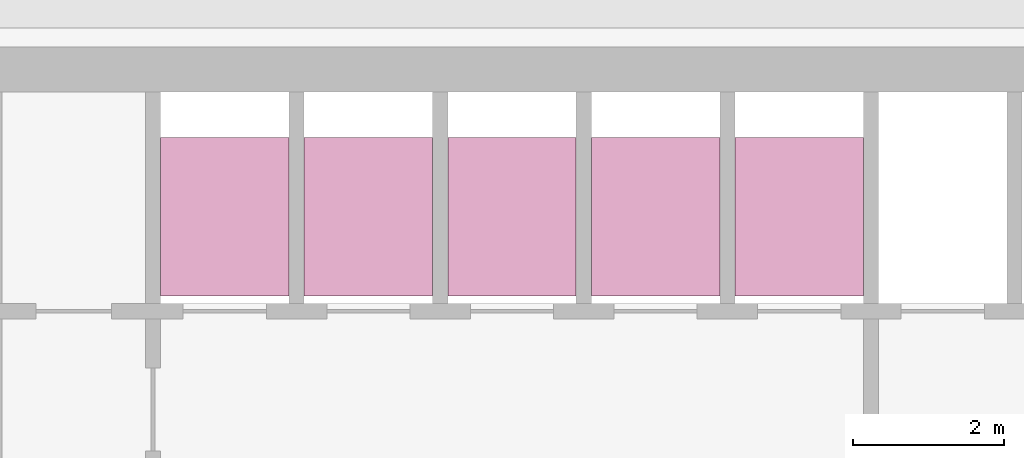
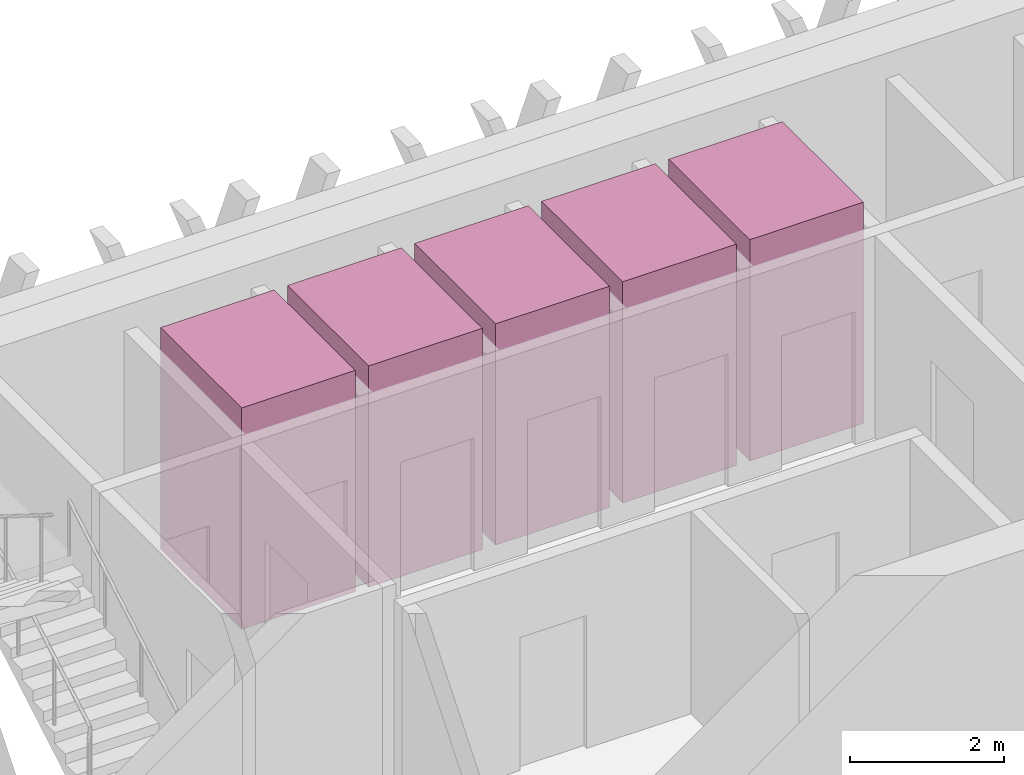
# One storey, part 15 of 15: 5 transport elements.
"""IFC4 building model written with IfcOpenShell, lengths in metres."""

from ifc_helpers import new_model, si_unit, direction, frame, origin, origin_2d, place, context, subcontext, project, spatial, rectangle, extrude, material, type_object, element, save


model = new_model("IFC4")

# Units and contexts
model_context = context("Model", 3, precision=1e-05, world=origin(), true_north=direction((0.0, 1.0)))
body_context = subcontext(model_context, "Body", "Model", "MODEL_VIEW")
ifc_project = project(units=[si_unit("LENGTHUNIT", "METRE"), si_unit("AREAUNIT", "SQUARE_METRE"), si_unit("VOLUMEUNIT", "CUBIC_METRE"), si_unit("PLANEANGLEUNIT", "RADIAN"), si_unit("MASSUNIT", "GRAM", prefix="KILO")], contexts=[model_context])

# Site, building, storey
site_placement = place(None, origin())
site = spatial("IfcSite", under=ifc_project, at=site_placement, CompositionType="ELEMENT")
building_placement = place(site_placement, origin())
building = spatial("IfcBuilding", under=site, at=building_placement, Name="Altiplano Prism Tower", CompositionType="ELEMENT")
storey_placement = place(building_placement, frame((0.0, 0.0, 250.0)))
storey = spatial("IfcBuildingStorey", under=building, at=storey_placement, Name="L64", CompositionType="ELEMENT", Elevation=250.0)

# Transport elements
ifc_material = material(Name="Stainless steel lift car", Category="steel")
transport_element_type = type_object("IfcTransportElementType", Name="Passenger lift car 1600 x 2100", PredefinedType="ELEVATOR", material=ifc_material)
for number, where, z_axis, x_axis, name in (
    (1, (79.050048828125, 101.75, 0.050048828125), (0.0, 0.0, 1.0), (1.0, 0.0, 0.0), "High Zone Passenger Lift 1"),
    (2, (80.949951171875, 101.75, 0.050048828125), (0.0, 0.0, 1.0), (1.0, 0.0, 0.0), "High Zone Passenger Lift 2"),
    (3, (82.85009765625, 101.75, 0.050048828125), (0.0, 0.0, 1.0), (1.0, 0.0, 0.0), "High Zone Passenger Lift 3"),
    (4, (84.75, 101.75, 0.050048828125), (0.0, 0.0, 1.0), (1.0, 0.0, 0.0), "High Zone Passenger Lift 4"),
    (5, (86.64990234375, 101.75, 0.050048828125), (0.0, 0.0, 1.0), (1.0, 0.0, 0.0), "High Zone Passenger Lift 5"),
):
    element("IfcTransportElement", number, at=place(storey_placement, frame(where, z_axis=z_axis, x_axis=x_axis)), inside=storey, type_object=transport_element_type, Name=name, PredefinedType="ELEVATOR", context=body_context, shape_type="SweptSolid", body=[
        extrude(rectangle(XDim=1.699951171875, YDim=2.10009765625, at=origin_2d()), origin(), (0.0, 0.0, 1.0), 3.5),
    ])

save(model, "model.ifc")
